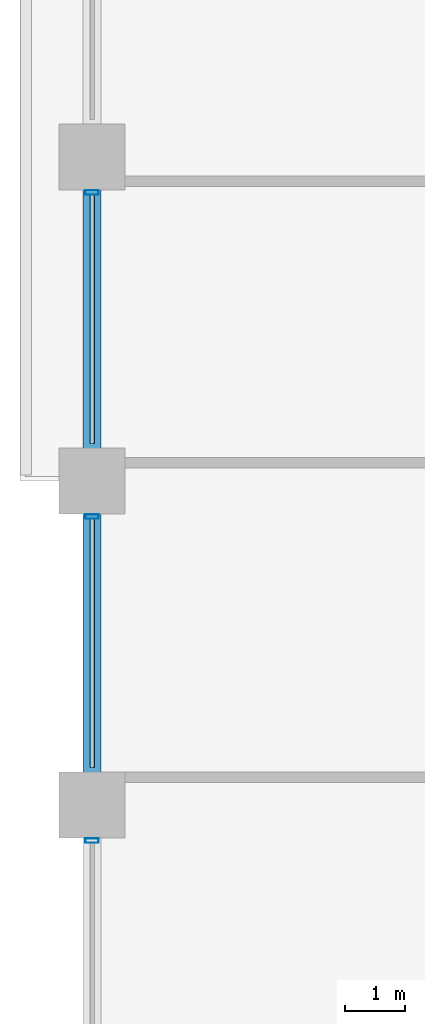
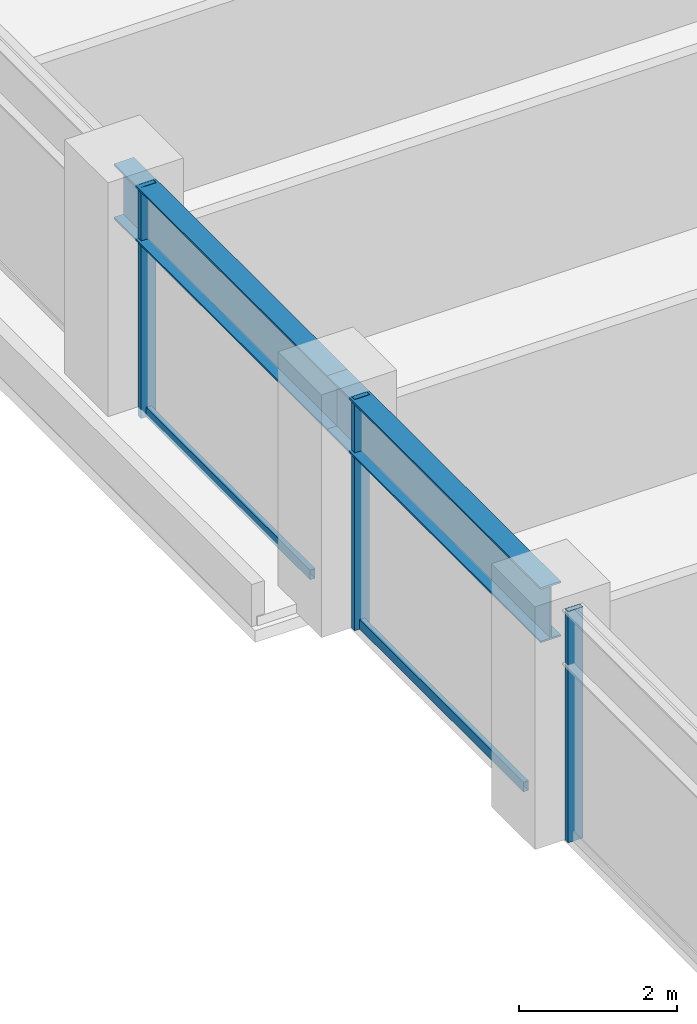
# One storey, part 6 of 24: 5 members, 2 beams, 1 element without a shape of its own.
"""IFC4 building model written with IfcOpenShell, lengths in metres."""

import ifcopenshell
import ifcopenshell.guid

model = None  # the IFC model being written
_history = None  # IfcOwnerHistory: only IFC2X3 demands one
_inside = {}  # id of a spatial element -> (the spatial element, [elements in it])
_under = {}  # id of a project, library or spatial element -> (it, [spatial elements below it])
_declared = {}  # id of a project -> (the project, [libraries it declares])
_typed = {}  # id of a type object -> (the type object, [elements of that type])
_made_of = {}  # id of a material, layer set ... -> (it, [elements and type objects made of it])


def new_model(schema):
    """Start an empty IFC model of exactly this schema.

    Asked for "IFC4X3", IfcOpenShell would pick the latest addendum, in which some entities
    have other attributes; the version numbers below select the first issue.
    IFC2X3 requires an IfcOwnerHistory on every rooted entity: one is made here for all.
    """
    global model, _history
    if schema == "IFC4X3":
        model = ifcopenshell.file(schema_version=(4, 3, 0, 0))
    else:
        model = ifcopenshell.file(schema=schema)
    _inside.clear()
    _under.clear()
    _declared.clear()
    _typed.clear()
    _made_of.clear()
    _history = None
    if model.schema == "IFC2X3":
        org = make("IfcOrganization", Name="unknown")
        user = make(
            "IfcPersonAndOrganization",
            ThePerson=make("IfcPerson", FamilyName="unknown"),
            TheOrganization=org,
        )
        app = make(
            "IfcApplication",
            ApplicationDeveloper=org,
            Version="unknown",
            ApplicationFullName="unknown",
            ApplicationIdentifier="unknown",
        )
        _history = make(
            "IfcOwnerHistory",
            OwningUser=user,
            OwningApplication=app,
            ChangeAction="ADDED",
            CreationDate=0,
        )
    return model


def make(cls, **values):
    """One entity of the class cls with the attributes given. An attribute that is None is left unset."""
    return model.create_entity(
        cls, **{name: value for name, value in values.items() if value is not None}
    )


def rooted(cls, **values):
    """An entity with a GlobalId (a new one), such as an element, a storey or a relation."""
    return make(cls, GlobalId=ifcopenshell.guid.new(), OwnerHistory=_history, **values)


def si_unit(unit_type, name, prefix=None):
    """IfcSIUnit, for example si_unit("LENGTHUNIT", "METRE", prefix="MILLI")."""
    return make("IfcSIUnit", UnitType=unit_type, Prefix=prefix, Name=name)


def assignment(units):
    """IfcUnitAssignment: the units of a project."""
    return None if units is None else make("IfcUnitAssignment", Units=units)


def point(xyz):
    """IfcCartesianPoint."""
    return None if xyz is None else make("IfcCartesianPoint", Coordinates=xyz)


def direction(xyz):
    """IfcDirection."""
    return None if xyz is None else make("IfcDirection", DirectionRatios=xyz)


def frame(location, z_axis=None, x_axis=None):
    """IfcAxis2Placement3D, a coordinate frame: its origin and axes. An axis left out is left unset."""
    return make(
        "IfcAxis2Placement3D",
        Location=point(location),
        Axis=direction(z_axis),
        RefDirection=direction(x_axis),
    )


def frame_2d(location, x_axis=None):
    """IfcAxis2Placement2D, a coordinate frame in the plane: its origin and x axis."""
    return make(
        "IfcAxis2Placement2D", Location=point(location), RefDirection=direction(x_axis)
    )


def origin():
    """The frame at (0, 0, 0) with its axes left unset."""
    return frame((0.0, 0.0, 0.0))


def origin_2d():
    """The frame at (0, 0) in the plane with its x axis left unset."""
    return frame_2d((0.0, 0.0))


def place(relative_to, where):
    """IfcLocalPlacement: puts the frame where relative to a parent placement (None: the world)."""
    return make(
        "IfcLocalPlacement", PlacementRelTo=relative_to, RelativePlacement=where
    )


def context(
    kind, dimensions, precision=None, world=None, true_north=None, identifier=None
):
    """IfcGeometricRepresentationContext, for example the 3D "Model" context."""
    return make(
        "IfcGeometricRepresentationContext",
        ContextIdentifier=identifier,
        ContextType=kind,
        CoordinateSpaceDimension=dimensions,
        Precision=precision,
        WorldCoordinateSystem=world,
        TrueNorth=true_north,
    )


def subcontext(parent, identifier, kind, view, scale=None):
    """IfcGeometricRepresentationSubContext, for example "Body" below "Model"."""
    return make(
        "IfcGeometricRepresentationSubContext",
        ContextIdentifier=identifier,
        ContextType=kind,
        ParentContext=parent,
        TargetScale=scale,
        TargetView=view,
    )


def project(units=None, contexts=None):
    """IfcProject with its units and contexts."""
    return rooted(
        "IfcProject",
        Name="project",
        RepresentationContexts=contexts,
        UnitsInContext=assignment(units),
    )


def spatial(cls, under=None, at=None, **own):
    """A site, building, storey or space (cls), placed at a placement, below another one or the project."""
    s = rooted(cls, ObjectPlacement=at, **own)
    if under is not None:
        _under.setdefault(under.id(), (under, []))[1].append(s)
    return s


def profile(cls, at=None, kind="AREA", **sizes):
    """A parametric profile (cls). Its sizes go by their IFC names, for example OverallWidth=200.0."""
    return make(cls, ProfileType=kind, Position=at, **sizes)


def hollow_rectangle(**sizes):
    """IfcRectangleHollowProfileDef."""
    return profile("IfcRectangleHollowProfileDef", **sizes)


def i_section(**sizes):
    """IfcIShapeProfileDef."""
    return profile("IfcIShapeProfileDef", **sizes)


def extrude(swept, where, along, depth):
    """IfcExtrudedAreaSolid: the profile swept, set in the frame where, extruded along a direction by depth."""
    return make(
        "IfcExtrudedAreaSolid",
        SweptArea=swept,
        Position=where,
        ExtrudedDirection=direction(along),
        Depth=depth,
    )


def shape(context_of_items, identifier, shape_type, items):
    """IfcShapeRepresentation: the items that make up one representation, for example the "Body"."""
    return make(
        "IfcShapeRepresentation",
        ContextOfItems=context_of_items,
        RepresentationIdentifier=identifier,
        RepresentationType=shape_type,
        Items=items,
    )


def material(Name=None, Category=None):
    """IfcMaterial."""
    return make("IfcMaterial", Name=Name, Category=Category)


def layer(
    of_material, thickness, ventilated=None, Name=None, Category=None, Priority=None
):
    """IfcMaterialLayer: one layer of a wall or slab, of a material (None: an air gap)."""
    return make(
        "IfcMaterialLayer",
        Material=of_material,
        LayerThickness=thickness,
        IsVentilated=ventilated,
        Name=Name,
        Category=Category,
        Priority=Priority,
    )


def layer_set(layers, Name=None):
    """IfcMaterialLayerSet."""
    return make("IfcMaterialLayerSet", MaterialLayers=layers, LayerSetName=Name)


def material_profile(
    of_material, cross_section, Name=None, Category=None, Priority=None
):
    """IfcMaterialProfile: a cross section and its material."""
    return make(
        "IfcMaterialProfile",
        Name=Name,
        Material=of_material,
        Profile=cross_section,
        Priority=Priority,
        Category=Category,
    )


def profile_set(profiles, Name=None, composite=None):
    """IfcMaterialProfileSet."""
    return make(
        "IfcMaterialProfileSet",
        Name=Name,
        MaterialProfiles=profiles,
        CompositeProfile=composite,
    )


def made_of(thing, what):
    """Note that an element or type object is made of a material, layer set ...; save() writes the relation."""
    if what is not None:
        _made_of.setdefault(what.id(), (what, []))[1].append(thing)
    return thing


def type_object(cls, material=None, **own):
    """A type object (cls), such as IfcWallType, which elements share."""
    return made_of(rooted(cls, **own), material)


def element(
    cls,
    number,
    at=None,
    inside=None,
    cuts=None,
    type_object=None,
    material=None,
    context=None,
    identifier="Body",
    shape_type=None,
    held_by="IfcProductDefinitionShape",
    body=None,
    shapes=None,
    **own,
):
    """One element of the class cls, such as IfcWall. Its Tag is "e" and its number.

    at: its placement. inside: the storey or other place that contains it. cuts: it is an
    opening in that element (IfcRelVoidsElement). A single representation is given by context,
    identifier, shape_type and body (its items); several are given by shapes. held_by: the class
    of the entity that holds the representations. save() writes the other relations.
    """
    e = rooted(cls, Tag="e%d" % number, ObjectPlacement=at, **own)
    if body is not None:
        shapes = [shape(context, identifier, shape_type, body)]
    if shapes is not None:
        e.Representation = make(held_by, Representations=shapes)
    if inside is not None:
        _inside.setdefault(inside.id(), (inside, []))[1].append(e)
    if cuts is not None:
        rooted(
            "IfcRelVoidsElement", RelatingBuildingElement=cuts, RelatedOpeningElement=e
        )
    if type_object is not None:
        _typed.setdefault(type_object.id(), (type_object, []))[1].append(e)
    return made_of(e, material)


def aggregate(whole, parts):
    """IfcRelAggregates: a whole, such as a stair, and the parts it consists of."""
    return rooted("IfcRelAggregates", RelatingObject=whole, RelatedObjects=parts)


def save(model, path):
    """Write the relations noted so far, then the file.

    IfcRelAggregates (storeys below a building ...), IfcRelContainedInSpatialStructure (elements
    in a storey), IfcRelDefinesByType, IfcRelAssociatesMaterial and IfcRelDeclares: one each for
    every whole, place, type object, material and project.
    """
    for whole, parts in _under.values():
        aggregate(whole, parts)
    for where, things in _inside.values():
        rooted(
            "IfcRelContainedInSpatialStructure",
            RelatedElements=things,
            RelatingStructure=where,
        )
    for kind, things in _typed.values():
        rooted("IfcRelDefinesByType", RelatedObjects=things, RelatingType=kind)
    for what, things in _made_of.values():
        rooted("IfcRelAssociatesMaterial", RelatedObjects=things, RelatingMaterial=what)
    for by, libraries in _declared.values():
        rooted("IfcRelDeclares", RelatingContext=by, RelatedDefinitions=libraries)
    model.write(path)


model = new_model("IFC4")

# Units and contexts
model_context = context("Model", 3, precision=1e-05, world=origin(), true_north=direction((0.0, 1.0)))
body_context = subcontext(model_context, "Body", "Model", "MODEL_VIEW")
ifc_project = project(units=[si_unit("LENGTHUNIT", "METRE"), si_unit("AREAUNIT", "SQUARE_METRE"), si_unit("VOLUMEUNIT", "CUBIC_METRE"), si_unit("PLANEANGLEUNIT", "RADIAN"), si_unit("MASSUNIT", "GRAM", prefix="KILO")], contexts=[model_context])

# Site, building, storey
site_placement = place(None, origin())
site = spatial("IfcSite", under=ifc_project, at=site_placement, CompositionType="ELEMENT")
building_placement = place(site_placement, origin())
building = spatial("IfcBuilding", under=site, at=building_placement, Name="Surkhivell Harbour Commons", CompositionType="ELEMENT")
storey_placement = place(building_placement, frame((0.0, 0.0, 105.75)))
storey = spatial("IfcBuildingStorey", under=building, at=storey_placement, Name="L27", CompositionType="ELEMENT", Elevation=105.75)

# Beams
ifc_material_1 = material(Name="Steel S460", Category="steel")
ifc_material_profile_1 = material_profile(ifc_material_1, i_section(OverallWidth=0.2939453125, OverallDepth=0.85107421875, WebThickness=0.01611328125, FlangeThickness=0.02685546875, at=origin_2d()), Name="UB838x292x226")
ifc_profile_set_1 = profile_set([ifc_material_profile_1], Name="Steel S460")
beam_type = type_object("IfcBeamType", Name="BM-SPN-838", PredefinedType="SPANDREL", material=ifc_profile_set_1)
for number, where, z_axis, x_axis, name in (
    (1, (-32.39990234375, -5.39990234375, 3.14453125), (0.0, 1.0, 0.0), (-1.0, 0.0, 0.0), "L27 Tube Spandrel (-32.4,-5.4)"),
    (2, (-32.39990234375, 0.0, 3.14453125), (0.0, 1.0, 0.0), (-1.0, 0.0, 0.0), "L27 Tube Spandrel (-32.4,0.0)"),
):
    element("IfcBeam", number, at=place(storey_placement, frame(where, z_axis=z_axis, x_axis=x_axis)), inside=storey, type_object=beam_type, Name=name, PredefinedType="SPANDREL", context=body_context, shape_type="SweptSolid", body=[
        extrude(i_section(OverallWidth=0.2939453125, OverallDepth=0.85107421875, WebThickness=0.01611328125, FlangeThickness=0.02685546875, at=origin_2d()), origin(), (0.0, 0.0, 1.0), 5.39990234375),
    ])

# Curtain wall, members
ifc_material_2 = material(Name="Anodised pale-metal aluminium and insulated glazing", Category="aluminium")
ifc_layer = layer(ifc_material_2, 0.205078125)
ifc_layer_set = layer_set([ifc_layer], Name="Anodised pale-metal aluminium and insulated glazing")
curtain_wall_type = type_object("IfcCurtainWallType", Name="CW-SYS-Z2", PredefinedType="NOTDEFINED", material=ifc_layer_set)
curtain_wall_placement = place(storey_placement, origin())
curtain_wall = element("IfcCurtainWall", 3, at=curtain_wall_placement, inside=storey, type_object=curtain_wall_type, Name="L27 Curtain Wall CW-L27-E12S1", PredefinedType="NOTDEFINED")
ifc_material_3 = material(Name="Anodised pale-metal aluminium alloy 6063-T6", Category="aluminium")
ifc_material_profile_2 = material_profile(ifc_material_3, hollow_rectangle(XDim=0.074951171875, YDim=0.219970703125, WallThickness=0.00390625, at=origin_2d()), Name="ALU-MULL-75x220")
ifc_profile_set_2 = profile_set([ifc_material_profile_2], Name="Anodised pale-metal aluminium alloy 6063-T6")
member_type_1 = type_object("IfcMemberType", Name="CWM-220", PredefinedType="MULLION", material=ifc_profile_set_2)
member_1_placement = place(storey_placement, frame((-32.39990234375, 4.810546875, 0.0), z_axis=(0.0, 0.0, 1.0), x_axis=(0.0, -1.0, 0.0)))
member_1 = element("IfcMember", 4, at=member_1_placement, type_object=member_type_1, Name="CW-Z2 mullion 4", PredefinedType="MULLION", context=body_context, shape_type="SweptSolid", body=[
    extrude(hollow_rectangle(XDim=0.074951171875, YDim=0.219970703125, WallThickness=0.00390625, at=origin_2d()), origin(), (0.0, 0.0, 1.0), 3.570068359375),
])
member_2_placement = place(storey_placement, frame((-32.39990234375, -0.589599609375, 0.0), z_axis=(0.0, 0.0, 1.0), x_axis=(0.0, -1.0, 0.0)))
member_2 = element("IfcMember", 5, at=member_2_placement, type_object=member_type_1, Name="CW-Z2 mullion 5", PredefinedType="MULLION", context=body_context, shape_type="SweptSolid", body=[
    extrude(hollow_rectangle(XDim=0.074951171875, YDim=0.219970703125, WallThickness=0.00390625, at=origin_2d()), origin(), (0.0, 0.0, 1.0), 3.570068359375),
])
member_3_placement = place(storey_placement, frame((-32.39990234375, -5.989501953125, 0.0), z_axis=(0.0, 0.0, 1.0), x_axis=(0.0, -1.0, 0.0)))
member_3 = element("IfcMember", 6, at=member_3_placement, type_object=member_type_1, Name="CW-Z2 mullion 6", PredefinedType="MULLION", context=body_context, shape_type="SweptSolid", body=[
    extrude(hollow_rectangle(XDim=0.074951171875, YDim=0.219970703125, WallThickness=0.00390625, at=origin_2d()), origin(), (0.0, 0.0, 1.0), 3.570068359375),
])
ifc_material_profile_3 = material_profile(ifc_material_3, hollow_rectangle(XDim=0.074951171875, YDim=0.14990234375, WallThickness=0.00341796875, at=origin_2d()), Name="ALU-TRAN-75x150")
ifc_profile_set_3 = profile_set([ifc_material_profile_3], Name="Anodised pale-metal aluminium alloy 6063-T6")
member_type_2 = type_object("IfcMemberType", Name="CWT-150", PredefinedType="USERDEFINED", material=ifc_profile_set_3)
member_4_placement = place(storey_placement, frame((-32.39990234375, 4.77294921875, 0.074951171875), z_axis=(0.0, -1.0, 0.0), x_axis=(1.0, 0.0, 0.0)))
member_4 = element("IfcMember", 7, at=member_4_placement, type_object=member_type_2, Name="CW-Z2 transom 4.1", ObjectType="TRANSOM", PredefinedType="USERDEFINED", context=body_context, shape_type="SweptSolid", body=[
    extrude(hollow_rectangle(XDim=0.074951171875, YDim=0.14990234375, WallThickness=0.00341796875, at=origin_2d()), origin(), (0.0, 0.0, 1.0), 4.14599609375),
])
member_5_placement = place(storey_placement, frame((-32.39990234375, -0.626953125, 0.074951171875), z_axis=(0.0, -1.0, 0.0), x_axis=(1.0, 0.0, 0.0)))
member_5 = element("IfcMember", 8, at=member_5_placement, type_object=member_type_2, Name="CW-Z2 transom 5.1", ObjectType="TRANSOM", PredefinedType="USERDEFINED", context=body_context, shape_type="SweptSolid", body=[
    extrude(hollow_rectangle(XDim=0.074951171875, YDim=0.14990234375, WallThickness=0.00341796875, at=origin_2d()), origin(), (0.0, 0.0, 1.0), 4.14599609375),
])
aggregate(curtain_wall, [member_1, member_4, member_2, member_5, member_3])

save(model, "model.ifc")
